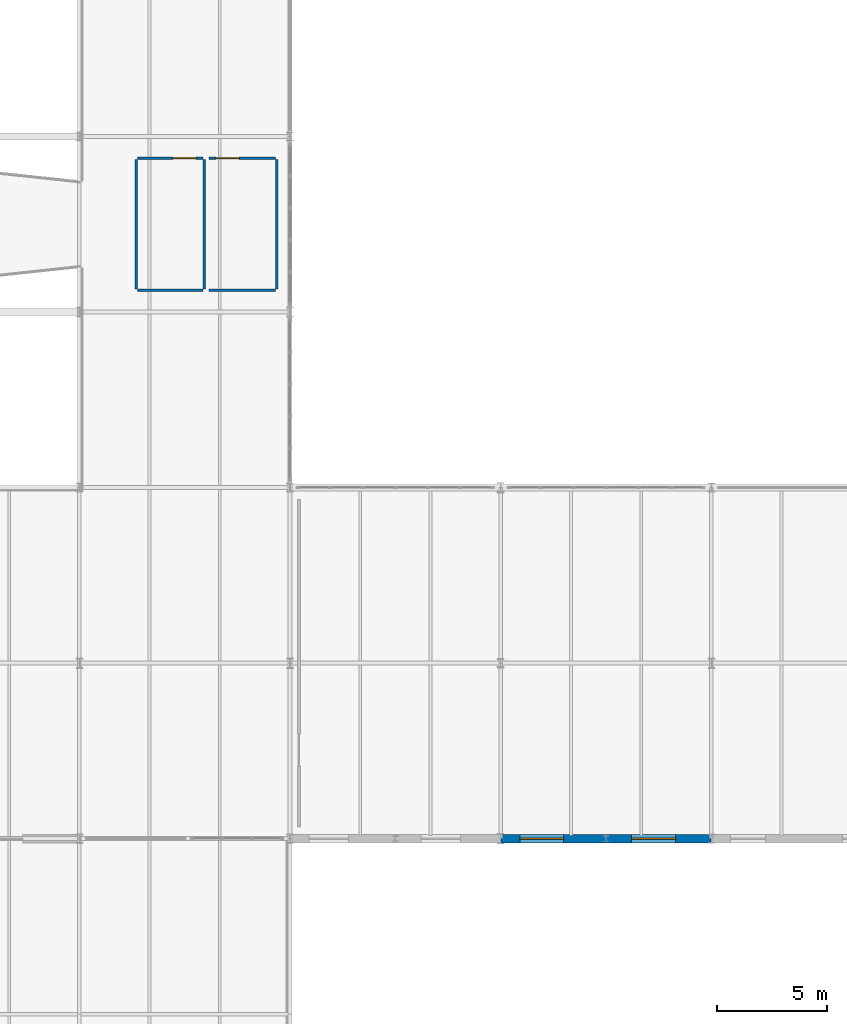
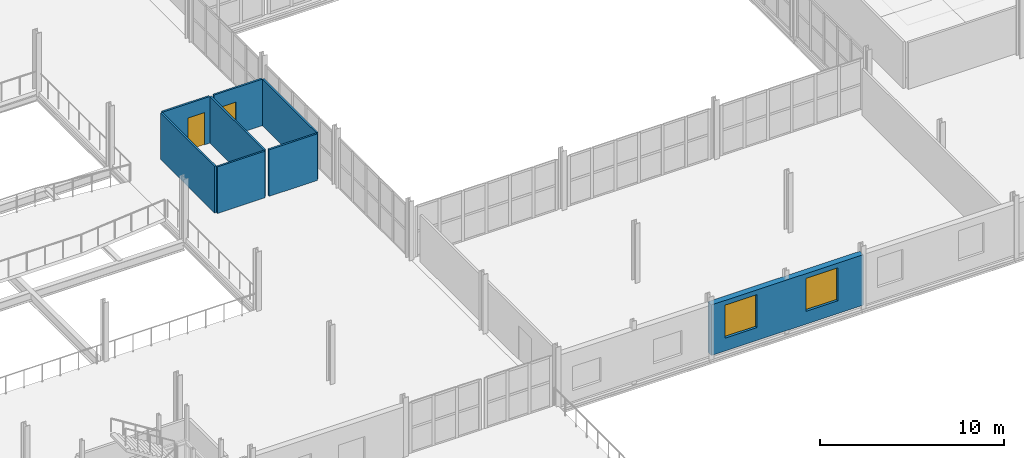
# One storey, part 72 of 85: 8 walls, 2 doors, 2 windows, 4 openings.
"""IFC4 building model written with IfcOpenShell, lengths in metres."""

import ifcopenshell
import ifcopenshell.guid

model = None  # the IFC model being written
_history = None  # IfcOwnerHistory: only IFC2X3 demands one
_inside = {}  # id of a spatial element -> (the spatial element, [elements in it])
_under = {}  # id of a project, library or spatial element -> (it, [spatial elements below it])
_declared = {}  # id of a project -> (the project, [libraries it declares])
_typed = {}  # id of a type object -> (the type object, [elements of that type])
_made_of = {}  # id of a material, layer set ... -> (it, [elements and type objects made of it])


def new_model(schema):
    """Start an empty IFC model of exactly this schema.

    Asked for "IFC4X3", IfcOpenShell would pick the latest addendum, in which some entities
    have other attributes; the version numbers below select the first issue.
    IFC2X3 requires an IfcOwnerHistory on every rooted entity: one is made here for all.
    """
    global model, _history
    if schema == "IFC4X3":
        model = ifcopenshell.file(schema_version=(4, 3, 0, 0))
    else:
        model = ifcopenshell.file(schema=schema)
    _inside.clear()
    _under.clear()
    _declared.clear()
    _typed.clear()
    _made_of.clear()
    _history = None
    if model.schema == "IFC2X3":
        org = make("IfcOrganization", Name="unknown")
        user = make(
            "IfcPersonAndOrganization",
            ThePerson=make("IfcPerson", FamilyName="unknown"),
            TheOrganization=org,
        )
        app = make(
            "IfcApplication",
            ApplicationDeveloper=org,
            Version="unknown",
            ApplicationFullName="unknown",
            ApplicationIdentifier="unknown",
        )
        _history = make(
            "IfcOwnerHistory",
            OwningUser=user,
            OwningApplication=app,
            ChangeAction="ADDED",
            CreationDate=0,
        )
    return model


def make(cls, **values):
    """One entity of the class cls with the attributes given. An attribute that is None is left unset."""
    return model.create_entity(
        cls, **{name: value for name, value in values.items() if value is not None}
    )


def rooted(cls, **values):
    """An entity with a GlobalId (a new one), such as an element, a storey or a relation."""
    return make(cls, GlobalId=ifcopenshell.guid.new(), OwnerHistory=_history, **values)


def si_unit(unit_type, name, prefix=None):
    """IfcSIUnit, for example si_unit("LENGTHUNIT", "METRE", prefix="MILLI")."""
    return make("IfcSIUnit", UnitType=unit_type, Prefix=prefix, Name=name)


def assignment(units):
    """IfcUnitAssignment: the units of a project."""
    return None if units is None else make("IfcUnitAssignment", Units=units)


def point(xyz):
    """IfcCartesianPoint."""
    return None if xyz is None else make("IfcCartesianPoint", Coordinates=xyz)


def direction(xyz):
    """IfcDirection."""
    return None if xyz is None else make("IfcDirection", DirectionRatios=xyz)


def frame(location, z_axis=None, x_axis=None):
    """IfcAxis2Placement3D, a coordinate frame: its origin and axes. An axis left out is left unset."""
    return make(
        "IfcAxis2Placement3D",
        Location=point(location),
        Axis=direction(z_axis),
        RefDirection=direction(x_axis),
    )


def frame_2d(location, x_axis=None):
    """IfcAxis2Placement2D, a coordinate frame in the plane: its origin and x axis."""
    return make(
        "IfcAxis2Placement2D", Location=point(location), RefDirection=direction(x_axis)
    )


def origin():
    """The frame at (0, 0, 0) with its axes left unset."""
    return frame((0.0, 0.0, 0.0))


def place(relative_to, where):
    """IfcLocalPlacement: puts the frame where relative to a parent placement (None: the world)."""
    return make(
        "IfcLocalPlacement", PlacementRelTo=relative_to, RelativePlacement=where
    )


def context(
    kind, dimensions, precision=None, world=None, true_north=None, identifier=None
):
    """IfcGeometricRepresentationContext, for example the 3D "Model" context."""
    return make(
        "IfcGeometricRepresentationContext",
        ContextIdentifier=identifier,
        ContextType=kind,
        CoordinateSpaceDimension=dimensions,
        Precision=precision,
        WorldCoordinateSystem=world,
        TrueNorth=true_north,
    )


def subcontext(parent, identifier, kind, view, scale=None):
    """IfcGeometricRepresentationSubContext, for example "Body" below "Model"."""
    return make(
        "IfcGeometricRepresentationSubContext",
        ContextIdentifier=identifier,
        ContextType=kind,
        ParentContext=parent,
        TargetScale=scale,
        TargetView=view,
    )


def project(units=None, contexts=None):
    """IfcProject with its units and contexts."""
    return rooted(
        "IfcProject",
        Name="project",
        RepresentationContexts=contexts,
        UnitsInContext=assignment(units),
    )


def spatial(cls, under=None, at=None, **own):
    """A site, building, storey or space (cls), placed at a placement, below another one or the project."""
    s = rooted(cls, ObjectPlacement=at, **own)
    if under is not None:
        _under.setdefault(under.id(), (under, []))[1].append(s)
    return s


def profile(cls, at=None, kind="AREA", **sizes):
    """A parametric profile (cls). Its sizes go by their IFC names, for example OverallWidth=200.0."""
    return make(cls, ProfileType=kind, Position=at, **sizes)


def rectangle(**sizes):
    """IfcRectangleProfileDef."""
    return profile("IfcRectangleProfileDef", **sizes)


def extrude(swept, where, along, depth):
    """IfcExtrudedAreaSolid: the profile swept, set in the frame where, extruded along a direction by depth."""
    return make(
        "IfcExtrudedAreaSolid",
        SweptArea=swept,
        Position=where,
        ExtrudedDirection=direction(along),
        Depth=depth,
    )


def shape(context_of_items, identifier, shape_type, items):
    """IfcShapeRepresentation: the items that make up one representation, for example the "Body"."""
    return make(
        "IfcShapeRepresentation",
        ContextOfItems=context_of_items,
        RepresentationIdentifier=identifier,
        RepresentationType=shape_type,
        Items=items,
    )


def material(Name=None, Category=None):
    """IfcMaterial."""
    return make("IfcMaterial", Name=Name, Category=Category)


def layer(
    of_material, thickness, ventilated=None, Name=None, Category=None, Priority=None
):
    """IfcMaterialLayer: one layer of a wall or slab, of a material (None: an air gap)."""
    return make(
        "IfcMaterialLayer",
        Material=of_material,
        LayerThickness=thickness,
        IsVentilated=ventilated,
        Name=Name,
        Category=Category,
        Priority=Priority,
    )


def layer_set(layers, Name=None):
    """IfcMaterialLayerSet."""
    return make("IfcMaterialLayerSet", MaterialLayers=layers, LayerSetName=Name)


def made_of(thing, what):
    """Note that an element or type object is made of a material, layer set ...; save() writes the relation."""
    if what is not None:
        _made_of.setdefault(what.id(), (what, []))[1].append(thing)
    return thing


def type_object(cls, material=None, **own):
    """A type object (cls), such as IfcWallType, which elements share."""
    return made_of(rooted(cls, **own), material)


def element(
    cls,
    number,
    at=None,
    inside=None,
    cuts=None,
    type_object=None,
    material=None,
    context=None,
    identifier="Body",
    shape_type=None,
    held_by="IfcProductDefinitionShape",
    body=None,
    shapes=None,
    **own,
):
    """One element of the class cls, such as IfcWall. Its Tag is "e" and its number.

    at: its placement. inside: the storey or other place that contains it. cuts: it is an
    opening in that element (IfcRelVoidsElement). A single representation is given by context,
    identifier, shape_type and body (its items); several are given by shapes. held_by: the class
    of the entity that holds the representations. save() writes the other relations.
    """
    e = rooted(cls, Tag="e%d" % number, ObjectPlacement=at, **own)
    if body is not None:
        shapes = [shape(context, identifier, shape_type, body)]
    if shapes is not None:
        e.Representation = make(held_by, Representations=shapes)
    if inside is not None:
        _inside.setdefault(inside.id(), (inside, []))[1].append(e)
    if cuts is not None:
        rooted(
            "IfcRelVoidsElement", RelatingBuildingElement=cuts, RelatedOpeningElement=e
        )
    if type_object is not None:
        _typed.setdefault(type_object.id(), (type_object, []))[1].append(e)
    return made_of(e, material)


def fill(opening, filler):
    """IfcRelFillsElement: the door or window that sits in an opening."""
    return rooted(
        "IfcRelFillsElement",
        RelatingOpeningElement=opening,
        RelatedBuildingElement=filler,
    )


def aggregate(whole, parts):
    """IfcRelAggregates: a whole, such as a stair, and the parts it consists of."""
    return rooted("IfcRelAggregates", RelatingObject=whole, RelatedObjects=parts)


def save(model, path):
    """Write the relations noted so far, then the file.

    IfcRelAggregates (storeys below a building ...), IfcRelContainedInSpatialStructure (elements
    in a storey), IfcRelDefinesByType, IfcRelAssociatesMaterial and IfcRelDeclares: one each for
    every whole, place, type object, material and project.
    """
    for whole, parts in _under.values():
        aggregate(whole, parts)
    for where, things in _inside.values():
        rooted(
            "IfcRelContainedInSpatialStructure",
            RelatedElements=things,
            RelatingStructure=where,
        )
    for kind, things in _typed.values():
        rooted("IfcRelDefinesByType", RelatedObjects=things, RelatingType=kind)
    for what, things in _made_of.values():
        rooted("IfcRelAssociatesMaterial", RelatedObjects=things, RelatingMaterial=what)
    for by, libraries in _declared.values():
        rooted("IfcRelDeclares", RelatingContext=by, RelatedDefinitions=libraries)
    model.write(path)


model = new_model("IFC4")

# Units and contexts
model_context = context("Model", 3, precision=1e-05, world=origin(), true_north=direction((0.0, 1.0)))
body_context = subcontext(model_context, "Body", "Model", "MODEL_VIEW")
ifc_project = project(units=[si_unit("LENGTHUNIT", "METRE"), si_unit("AREAUNIT", "SQUARE_METRE"), si_unit("VOLUMEUNIT", "CUBIC_METRE"), si_unit("PLANEANGLEUNIT", "RADIAN"), si_unit("MASSUNIT", "GRAM", prefix="KILO")], contexts=[model_context])

# Site, building, storey
site_placement = place(None, origin())
site = spatial("IfcSite", under=ifc_project, at=site_placement, CompositionType="ELEMENT")
building_placement = place(site_placement, origin())
building = spatial("IfcBuilding", under=site, at=building_placement, Name="Alderhovde Museum", CompositionType="ELEMENT")
storey_placement = place(building_placement, frame((0.0, 0.0, 8.699951171875)))
storey = spatial("IfcBuildingStorey", under=building, at=storey_placement, Name="L02", CompositionType="ELEMENT", Elevation=8.699951171875)

# Wall, openings, windows
ifc_material_1 = material(Name="Fluted Jura Limestone Beaux-Arts Wall", Category="masonry")
ifc_layer_1 = layer(ifc_material_1, 0.3798828125)
ifc_layer_set_1 = layer_set([ifc_layer_1], Name="Fluted Jura Limestone Beaux-Arts Wall")
wall_type_1 = type_object("IfcWallType", Name="EW-LIME-380", PredefinedType="SOLIDWALL", material=ifc_layer_set_1)
wall_1_placement = place(storey_placement, frame((124.820068359375, 32.0, 0.0), z_axis=(0.0, 0.0, 1.0), x_axis=(1.0, 0.0, 0.0)))
wall_1 = element("IfcWall", 1, at=wall_1_placement, inside=storey, type_object=wall_type_1, Name="L02 Conservation South Beaux-Arts Wall 216", PredefinedType="SOLIDWALL", context=body_context, shape_type="SweptSolid", body=[
    extrude(rectangle(XDim=9.559814453125, YDim=0.3798828125, at=frame_2d((4.77978515625, 0.0))), origin(), (0.0, 0.0, 1.0), 3.360107421875),
])
opening_1_placement = place(wall_1_placement, frame((0.85009765625, 0.0, 0.85009765625)))
opening_1 = element("IfcOpeningElement", 2, at=opening_1_placement, cuts=wall_1, Name="Opening W16", PredefinedType="OPENING", context=body_context, shape_type="SweptSolid", body=[
    extrude(rectangle(XDim=2.0, YDim=2.199951171875, at=frame_2d((1.0, 1.10009765625))), frame((0.0, 0.199951171875, 0.0), z_axis=(0.0, -1.0, 0.0), x_axis=(1.0, 0.0, 0.0)), (0.0, 0.0, 1.0), 0.39990234375),
])
opening_2_placement = place(wall_1_placement, frame((5.949951171875, 0.0, 0.85009765625)))
opening_2 = element("IfcOpeningElement", 3, at=opening_2_placement, cuts=wall_1, Name="Opening W16", PredefinedType="OPENING", context=body_context, shape_type="SweptSolid", body=[
    extrude(rectangle(XDim=2.0, YDim=2.199951171875, at=frame_2d((1.0, 1.10009765625))), frame((0.0, 0.199951171875, 0.0), z_axis=(0.0, -1.0, 0.0), x_axis=(1.0, 0.0, 0.0)), (0.0, 0.0, 1.0), 0.39990234375),
])
ifc_material_2 = material(Name="Triple-Glazed Low-E Bronze-Anodised Aluminium", Category="aluminium")
window_type = type_object("IfcWindowType", Name="WIN-LAB-2000x2200", PartitioningType="DOUBLE_PANEL_VERTICAL", PredefinedType="WINDOW", material=ifc_material_2)
window_1_placement = place(opening_1_placement, origin())
window_1 = element("IfcWindow", 4, at=window_1_placement, inside=storey, type_object=window_type, Name="L02 Facade Window 197", OverallHeight=2.199951171875, OverallWidth=2.0, PartitioningType="SINGLE_PANEL", PredefinedType="WINDOW", context=body_context, shape_type="SweptSolid", body=[
    extrude(rectangle(XDim=2.0, YDim=2.199951171875, at=frame_2d((1.0, 1.10009765625))), frame((0.0, 0.030029296875, 0.0), z_axis=(0.0, -1.0, 0.0), x_axis=(1.0, 0.0, 0.0)), (0.0, 0.0, 1.0), 0.06005859375),
])
fill(opening_1, window_1)
window_2_placement = place(opening_2_placement, origin())
window_2 = element("IfcWindow", 5, at=window_2_placement, inside=storey, type_object=window_type, Name="L02 Facade Window 198", OverallHeight=2.199951171875, OverallWidth=2.0, PartitioningType="SINGLE_PANEL", PredefinedType="WINDOW", context=body_context, shape_type="SweptSolid", body=[
    extrude(rectangle(XDim=2.0, YDim=2.199951171875, at=frame_2d((1.0, 1.10009765625))), frame((0.0, 0.030029296875, 0.0), z_axis=(0.0, -1.0, 0.0), x_axis=(1.0, 0.0, 0.0)), (0.0, 0.0, 1.0), 0.06005859375),
])
fill(opening_2, window_2)

# Wall, opening, door
ifc_material_3 = material(Name="Moisture-Resistant Sanitary Partition")
ifc_layer_2 = layer(ifc_material_3, 0.114990234375)
ifc_layer_set_2 = layer_set([ifc_layer_2], Name="Moisture-Resistant Sanitary Partition")
wall_type_2 = type_object("IfcWallType", Name="IW-WC-115", PredefinedType="PARTITIONING", material=ifc_layer_set_2)
wall_2_placement = place(storey_placement, frame((108.260009765625, 63.0, 0.0), z_axis=(0.0, 0.0, 1.0), x_axis=(1.0, 0.0, 0.0)))
wall_2 = element("IfcWall", 6, at=wall_2_placement, inside=storey, type_object=wall_type_2, Name="L02 Public WC Partition Wall N", PredefinedType="PARTITIONING", context=body_context, shape_type="SweptSolid", body=[
    extrude(rectangle(XDim=2.97998046875, YDim=0.114990234375, at=frame_2d((1.489990234375, 0.0))), origin(), (0.0, 0.0, 1.0), 3.10009765625),
])
opening_3_placement = place(wall_2_placement, frame((1.610107421875, 0.0, 0.0)))
opening_3 = element("IfcOpeningElement", 7, at=opening_3_placement, cuts=wall_2, Name="Opening D09", PredefinedType="OPENING", context=body_context, shape_type="SweptSolid", body=[
    extrude(rectangle(XDim=1.050048828125, YDim=2.14990234375, at=frame_2d((0.52490234375, 1.074951171875))), frame((0.0, 0.0673828125, 0.0), z_axis=(0.0, -1.0, 0.0), x_axis=(1.0, 0.0, 0.0)), (0.0, 0.0, 1.0), 0.135009765625),
])
ifc_material_4 = material(Name="Accessible Sanitary Room Door (Steel/Oak)", Category="steel")
door_type = type_object("IfcDoorType", Name="ID-WC-1050x2150", OperationType="NOTDEFINED", PredefinedType="DOOR", material=ifc_material_4)
door_1_placement = place(opening_3_placement, origin())
door_1 = element("IfcDoor", 8, at=door_1_placement, inside=storey, type_object=door_type, Name="L02 Public WC Door", OperationType="SINGLE_SWING_RIGHT", OverallHeight=2.14990234375, OverallWidth=1.050048828125, PredefinedType="DOOR", context=body_context, shape_type="SweptSolid", body=[
    extrude(rectangle(XDim=1.050048828125, YDim=2.14990234375, at=frame_2d((0.52490234375, 1.074951171875))), frame((0.0, 0.02490234375, 0.0), z_axis=(0.0, -1.0, 0.0), x_axis=(1.0, 0.0, 0.0)), (0.0, 0.0, 1.0), 0.050048828125),
])
fill(opening_3, door_1)

# Walls
wall_3_placement = place(storey_placement, frame((108.260009765625, 57.0, 0.0), z_axis=(0.0, 0.0, 1.0), x_axis=(1.0, 0.0, 0.0)))
element("IfcWall", 9, at=wall_3_placement, inside=storey, type_object=wall_type_2, Name="L02 Public WC Partition Wall S", PredefinedType="PARTITIONING", context=body_context, shape_type="SweptSolid", body=[
    extrude(rectangle(XDim=2.97998046875, YDim=0.114990234375, at=frame_2d((1.489990234375, 0.0))), origin(), (0.0, 0.0, 1.0), 3.10009765625),
])
for number, where, z_axis, x_axis, name in (
    (10, (108.199951171875, 57.06005859375, 0.0), (0.0, 0.0, 1.0), (0.0, 1.0, 0.0), "L02 Public WC Partition Wall W"),
    (11, (111.300048828125, 57.06005859375, 0.0), (0.0, 0.0, 1.0), (0.0, 1.0, 0.0), "L02 Public WC Partition Wall E"),
):
    element("IfcWall", number, at=place(storey_placement, frame(where, z_axis=z_axis, x_axis=x_axis)), inside=storey, type_object=wall_type_2, Name=name, PredefinedType="PARTITIONING", context=body_context, shape_type="SweptSolid", body=[
        extrude(rectangle(XDim=5.8798828125, YDim=0.114990234375, at=frame_2d((2.93994140625, 0.0))), origin(), (0.0, 0.0, 1.0), 3.10009765625),
    ])

# Wall, opening, door
wall_4_placement = place(storey_placement, frame((111.510009765625, 63.0, 0.0), z_axis=(0.0, 0.0, 1.0), x_axis=(1.0, 0.0, 0.0)))
wall_4 = element("IfcWall", 12, at=wall_4_placement, inside=storey, type_object=wall_type_2, Name="L02 Accessible WC Partition Wall N", PredefinedType="PARTITIONING", context=body_context, shape_type="SweptSolid", body=[
    extrude(rectangle(XDim=3.030029296875, YDim=0.114990234375, at=frame_2d((1.51513671875, 0.0))), origin(), (0.0, 0.0, 1.0), 3.10009765625),
])
opening_4_placement = place(wall_4_placement, frame((0.320068359375, 0.0, 0.0)))
opening_4 = element("IfcOpeningElement", 13, at=opening_4_placement, cuts=wall_4, Name="Opening D09", PredefinedType="OPENING", context=body_context, shape_type="SweptSolid", body=[
    extrude(rectangle(XDim=1.050048828125, YDim=2.14990234375, at=frame_2d((0.52490234375, 1.074951171875))), frame((0.0, 0.0673828125, 0.0), z_axis=(0.0, -1.0, 0.0), x_axis=(1.0, 0.0, 0.0)), (0.0, 0.0, 1.0), 0.135009765625),
])
door_2_placement = place(opening_4_placement, origin())
door_2 = element("IfcDoor", 14, at=door_2_placement, inside=storey, type_object=door_type, Name="L02 Accessible WC Door", OperationType="SINGLE_SWING_LEFT", OverallHeight=2.14990234375, OverallWidth=1.050048828125, PredefinedType="DOOR", context=body_context, shape_type="SweptSolid", body=[
    extrude(rectangle(XDim=1.050048828125, YDim=2.14990234375, at=frame_2d((0.52490234375, 1.074951171875))), frame((0.0, 0.02490234375, 0.0), z_axis=(0.0, -1.0, 0.0), x_axis=(1.0, 0.0, 0.0)), (0.0, 0.0, 1.0), 0.050048828125),
])
fill(opening_4, door_2)

# Walls
wall_5_placement = place(storey_placement, frame((111.510009765625, 57.0, 0.0), z_axis=(0.0, 0.0, 1.0), x_axis=(1.0, 0.0, 0.0)))
element("IfcWall", 15, at=wall_5_placement, inside=storey, type_object=wall_type_2, Name="L02 Accessible WC Partition Wall S", PredefinedType="PARTITIONING", context=body_context, shape_type="SweptSolid", body=[
    extrude(rectangle(XDim=3.030029296875, YDim=0.114990234375, at=frame_2d((1.51513671875, 0.0))), origin(), (0.0, 0.0, 1.0), 3.10009765625),
])
wall_6_placement = place(storey_placement, frame((114.60009765625, 57.06005859375, 0.0), z_axis=(0.0, 0.0, 1.0), x_axis=(0.0, 1.0, 0.0)))
element("IfcWall", 16, at=wall_6_placement, inside=storey, type_object=wall_type_2, Name="L02 Accessible WC Partition Wall E", PredefinedType="PARTITIONING", context=body_context, shape_type="SweptSolid", body=[
    extrude(rectangle(XDim=5.8798828125, YDim=0.114990234375, at=frame_2d((2.93994140625, 0.0))), origin(), (0.0, 0.0, 1.0), 3.10009765625),
])

save(model, "model.ifc")
